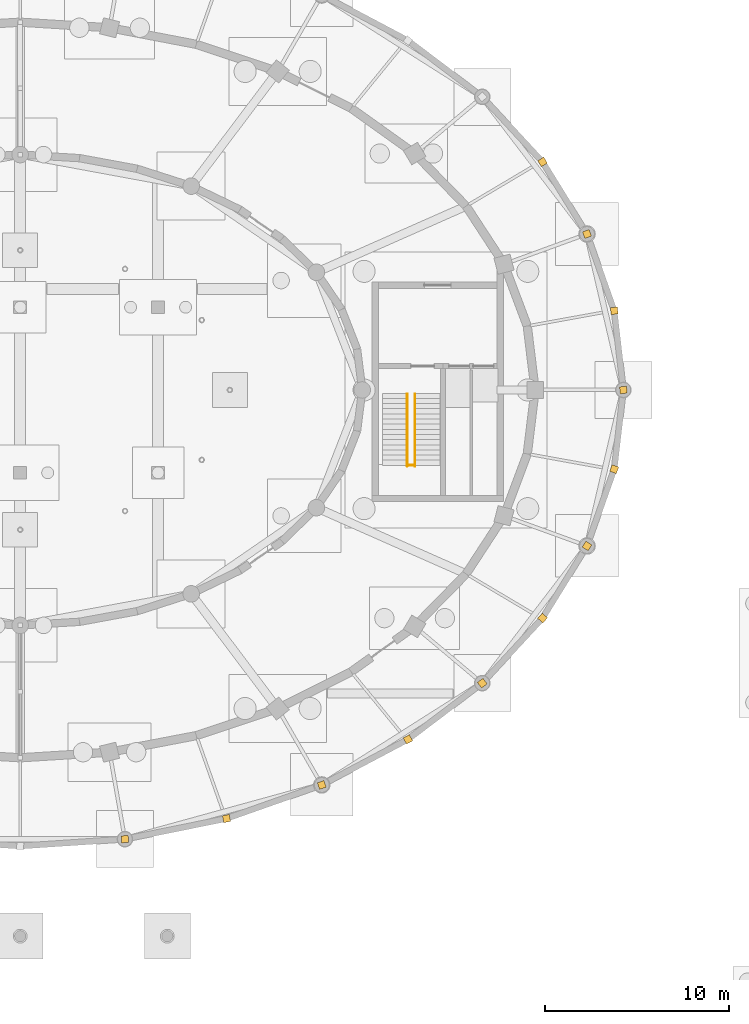
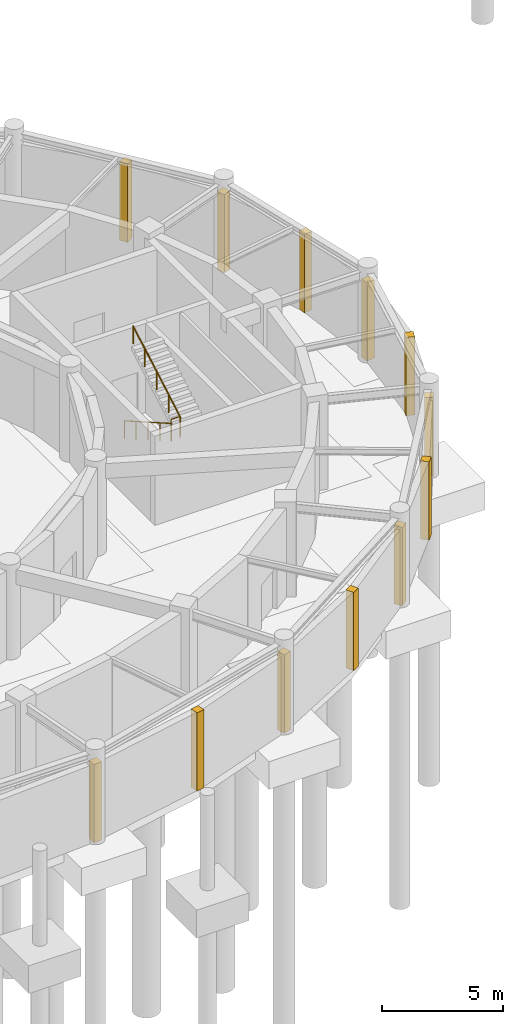
# One storey, part 36 of 42: 12 coverings, 3 railings.
"""IFC4 building model written with IfcOpenShell, lengths in metres."""

import ifcopenshell
import ifcopenshell.guid

model = None  # the IFC model being written
_history = None  # IfcOwnerHistory: only IFC2X3 demands one
_inside = {}  # id of a spatial element -> (the spatial element, [elements in it])
_under = {}  # id of a project, library or spatial element -> (it, [spatial elements below it])
_declared = {}  # id of a project -> (the project, [libraries it declares])
_typed = {}  # id of a type object -> (the type object, [elements of that type])
_made_of = {}  # id of a material, layer set ... -> (it, [elements and type objects made of it])


def new_model(schema):
    """Start an empty IFC model of exactly this schema.

    Asked for "IFC4X3", IfcOpenShell would pick the latest addendum, in which some entities
    have other attributes; the version numbers below select the first issue.
    IFC2X3 requires an IfcOwnerHistory on every rooted entity: one is made here for all.
    """
    global model, _history
    if schema == "IFC4X3":
        model = ifcopenshell.file(schema_version=(4, 3, 0, 0))
    else:
        model = ifcopenshell.file(schema=schema)
    _inside.clear()
    _under.clear()
    _declared.clear()
    _typed.clear()
    _made_of.clear()
    _history = None
    if model.schema == "IFC2X3":
        org = make("IfcOrganization", Name="unknown")
        user = make(
            "IfcPersonAndOrganization",
            ThePerson=make("IfcPerson", FamilyName="unknown"),
            TheOrganization=org,
        )
        app = make(
            "IfcApplication",
            ApplicationDeveloper=org,
            Version="unknown",
            ApplicationFullName="unknown",
            ApplicationIdentifier="unknown",
        )
        _history = make(
            "IfcOwnerHistory",
            OwningUser=user,
            OwningApplication=app,
            ChangeAction="ADDED",
            CreationDate=0,
        )
    return model


def make(cls, **values):
    """One entity of the class cls with the attributes given. An attribute that is None is left unset."""
    return model.create_entity(
        cls, **{name: value for name, value in values.items() if value is not None}
    )


def rooted(cls, **values):
    """An entity with a GlobalId (a new one), such as an element, a storey or a relation."""
    return make(cls, GlobalId=ifcopenshell.guid.new(), OwnerHistory=_history, **values)


def si_unit(unit_type, name, prefix=None):
    """IfcSIUnit, for example si_unit("LENGTHUNIT", "METRE", prefix="MILLI")."""
    return make("IfcSIUnit", UnitType=unit_type, Prefix=prefix, Name=name)


def assignment(units):
    """IfcUnitAssignment: the units of a project."""
    return None if units is None else make("IfcUnitAssignment", Units=units)


def point(xyz):
    """IfcCartesianPoint."""
    return None if xyz is None else make("IfcCartesianPoint", Coordinates=xyz)


def direction(xyz):
    """IfcDirection."""
    return None if xyz is None else make("IfcDirection", DirectionRatios=xyz)


def frame(location, z_axis=None, x_axis=None):
    """IfcAxis2Placement3D, a coordinate frame: its origin and axes. An axis left out is left unset."""
    return make(
        "IfcAxis2Placement3D",
        Location=point(location),
        Axis=direction(z_axis),
        RefDirection=direction(x_axis),
    )


def frame_2d(location, x_axis=None):
    """IfcAxis2Placement2D, a coordinate frame in the plane: its origin and x axis."""
    return make(
        "IfcAxis2Placement2D", Location=point(location), RefDirection=direction(x_axis)
    )


def origin():
    """The frame at (0, 0, 0) with its axes left unset."""
    return frame((0.0, 0.0, 0.0))


def origin_2d():
    """The frame at (0, 0) in the plane with its x axis left unset."""
    return frame_2d((0.0, 0.0))


def place(relative_to, where):
    """IfcLocalPlacement: puts the frame where relative to a parent placement (None: the world)."""
    return make(
        "IfcLocalPlacement", PlacementRelTo=relative_to, RelativePlacement=where
    )


def context(
    kind, dimensions, precision=None, world=None, true_north=None, identifier=None
):
    """IfcGeometricRepresentationContext, for example the 3D "Model" context."""
    return make(
        "IfcGeometricRepresentationContext",
        ContextIdentifier=identifier,
        ContextType=kind,
        CoordinateSpaceDimension=dimensions,
        Precision=precision,
        WorldCoordinateSystem=world,
        TrueNorth=true_north,
    )


def subcontext(parent, identifier, kind, view, scale=None):
    """IfcGeometricRepresentationSubContext, for example "Body" below "Model"."""
    return make(
        "IfcGeometricRepresentationSubContext",
        ContextIdentifier=identifier,
        ContextType=kind,
        ParentContext=parent,
        TargetScale=scale,
        TargetView=view,
    )


def project(units=None, contexts=None):
    """IfcProject with its units and contexts."""
    return rooted(
        "IfcProject",
        Name="project",
        RepresentationContexts=contexts,
        UnitsInContext=assignment(units),
    )


def spatial(cls, under=None, at=None, **own):
    """A site, building, storey or space (cls), placed at a placement, below another one or the project."""
    s = rooted(cls, ObjectPlacement=at, **own)
    if under is not None:
        _under.setdefault(under.id(), (under, []))[1].append(s)
    return s


def profile(cls, at=None, kind="AREA", **sizes):
    """A parametric profile (cls). Its sizes go by their IFC names, for example OverallWidth=200.0."""
    return make(cls, ProfileType=kind, Position=at, **sizes)


def rectangle(**sizes):
    """IfcRectangleProfileDef."""
    return profile("IfcRectangleProfileDef", **sizes)


def circle(**sizes):
    """IfcCircleProfileDef."""
    return profile("IfcCircleProfileDef", **sizes)


def extrude(swept, where, along, depth):
    """IfcExtrudedAreaSolid: the profile swept, set in the frame where, extruded along a direction by depth."""
    return make(
        "IfcExtrudedAreaSolid",
        SweptArea=swept,
        Position=where,
        ExtrudedDirection=direction(along),
        Depth=depth,
    )


def shape(context_of_items, identifier, shape_type, items):
    """IfcShapeRepresentation: the items that make up one representation, for example the "Body"."""
    return make(
        "IfcShapeRepresentation",
        ContextOfItems=context_of_items,
        RepresentationIdentifier=identifier,
        RepresentationType=shape_type,
        Items=items,
    )


def material(Name=None, Category=None):
    """IfcMaterial."""
    return make("IfcMaterial", Name=Name, Category=Category)


def layer(
    of_material, thickness, ventilated=None, Name=None, Category=None, Priority=None
):
    """IfcMaterialLayer: one layer of a wall or slab, of a material (None: an air gap)."""
    return make(
        "IfcMaterialLayer",
        Material=of_material,
        LayerThickness=thickness,
        IsVentilated=ventilated,
        Name=Name,
        Category=Category,
        Priority=Priority,
    )


def layer_set(layers, Name=None):
    """IfcMaterialLayerSet."""
    return make("IfcMaterialLayerSet", MaterialLayers=layers, LayerSetName=Name)


def made_of(thing, what):
    """Note that an element or type object is made of a material, layer set ...; save() writes the relation."""
    if what is not None:
        _made_of.setdefault(what.id(), (what, []))[1].append(thing)
    return thing


def type_object(cls, material=None, **own):
    """A type object (cls), such as IfcWallType, which elements share."""
    return made_of(rooted(cls, **own), material)


def element(
    cls,
    number,
    at=None,
    inside=None,
    cuts=None,
    type_object=None,
    material=None,
    context=None,
    identifier="Body",
    shape_type=None,
    held_by="IfcProductDefinitionShape",
    body=None,
    shapes=None,
    **own,
):
    """One element of the class cls, such as IfcWall. Its Tag is "e" and its number.

    at: its placement. inside: the storey or other place that contains it. cuts: it is an
    opening in that element (IfcRelVoidsElement). A single representation is given by context,
    identifier, shape_type and body (its items); several are given by shapes. held_by: the class
    of the entity that holds the representations. save() writes the other relations.
    """
    e = rooted(cls, Tag="e%d" % number, ObjectPlacement=at, **own)
    if body is not None:
        shapes = [shape(context, identifier, shape_type, body)]
    if shapes is not None:
        e.Representation = make(held_by, Representations=shapes)
    if inside is not None:
        _inside.setdefault(inside.id(), (inside, []))[1].append(e)
    if cuts is not None:
        rooted(
            "IfcRelVoidsElement", RelatingBuildingElement=cuts, RelatedOpeningElement=e
        )
    if type_object is not None:
        _typed.setdefault(type_object.id(), (type_object, []))[1].append(e)
    return made_of(e, material)


def aggregate(whole, parts):
    """IfcRelAggregates: a whole, such as a stair, and the parts it consists of."""
    return rooted("IfcRelAggregates", RelatingObject=whole, RelatedObjects=parts)


def save(model, path):
    """Write the relations noted so far, then the file.

    IfcRelAggregates (storeys below a building ...), IfcRelContainedInSpatialStructure (elements
    in a storey), IfcRelDefinesByType, IfcRelAssociatesMaterial and IfcRelDeclares: one each for
    every whole, place, type object, material and project.
    """
    for whole, parts in _under.values():
        aggregate(whole, parts)
    for where, things in _inside.values():
        rooted(
            "IfcRelContainedInSpatialStructure",
            RelatedElements=things,
            RelatingStructure=where,
        )
    for kind, things in _typed.values():
        rooted("IfcRelDefinesByType", RelatedObjects=things, RelatingType=kind)
    for what, things in _made_of.values():
        rooted("IfcRelAssociatesMaterial", RelatedObjects=things, RelatingMaterial=what)
    for by, libraries in _declared.values():
        rooted("IfcRelDeclares", RelatingContext=by, RelatedDefinitions=libraries)
    model.write(path)


model = new_model("IFC4")

# Units and contexts
model_context = context("Model", 3, precision=1e-05, world=origin(), true_north=direction((0.0, 1.0)))
body_context = subcontext(model_context, "Body", "Model", "MODEL_VIEW")
ifc_project = project(units=[si_unit("LENGTHUNIT", "METRE"), si_unit("AREAUNIT", "SQUARE_METRE"), si_unit("VOLUMEUNIT", "CUBIC_METRE"), si_unit("PLANEANGLEUNIT", "RADIAN"), si_unit("MASSUNIT", "GRAM", prefix="KILO")], contexts=[model_context])

# Site, building, storey
site_placement = place(None, origin())
site = spatial("IfcSite", under=ifc_project, at=site_placement, CompositionType="ELEMENT")
building_placement = place(site_placement, origin())
building = spatial("IfcBuilding", under=site, at=building_placement, Name="Tarnveldt Headland Concert Hall", CompositionType="ELEMENT")
storey_placement = place(building_placement, frame((0.0, 0.0, -4.800048828125)))
storey = spatial("IfcBuildingStorey", under=building, at=storey_placement, Name="B1", CompositionType="ELEMENT", Elevation=-4.800048828125)

# Coverings
ifc_material_1 = material(Name="Coral-toned precast concrete C40/50", Category="concrete")
ifc_layer_1 = layer(ifc_material_1, 0.360107421875, Name="Coral-toned precast concrete C40/50", Category="concrete")
ifc_layer_set_1 = layer_set([ifc_layer_1], Name="Coral-toned precast concrete C40/50")
covering_type = type_object("IfcCoveringType", Name="CV-JNT360", PredefinedType="CLADDING", material=ifc_layer_set_1)
for number, where, z_axis, x_axis, name in (
    (1, (89.19580078125, 30.076904296875, 0.0), (0.0, 0.0, 1.0), (-0.997813020072, -0.066099750182, 0.0), "Precast facade joint closure pilaster B1-57"),
    (2, (94.71826171875, 31.195556640625, 0.0), (0.0, 0.0, 1.0), (-0.980098312815, -0.198512712986, 0.0), "Precast facade joint closure pilaster B1-59"),
    (3, (99.89990234375, 33.022705078125, 0.0), (0.0, 0.0, 1.0), (-0.943106654378, -0.33249035846, 0.0), "Precast facade joint closure pilaster B1-61"),
    (4, (104.58349609375, 35.502197265625, 0.0), (0.0, 0.0, 1.0), (-0.883765630089, -0.467929814261, 0.0), "Precast facade joint closure pilaster B1-63"),
    (5, (108.626220703125, 38.558837890625, 0.0), (0.0, 0.0, 1.0), (-0.797689196331, -0.603068773902, 0.0), "Precast facade joint closure pilaster B1-65"),
    (6, (111.905517578125, 42.10009765625, 0.0), (0.0, 0.0, 1.0), (-0.679441304262, -0.733729864503, 0.0), "Precast facade joint closure pilaster B1-67"),
    (7, (111.905517578125, 66.89990234375, 0.0), (0.0, 0.0, 1.0), (0.524877544859, -0.851177750474, 0.0), "Precast facade joint closure pilaster B1-68"),
    (8, (114.322021484375, 46.017822265625, 0.0), (0.0, 0.0, 1.0), (-0.524877544859, -0.851177750474, 0.0), "Precast facade joint closure pilaster B1-69"),
    (9, (114.322021484375, 62.982177734375, 0.0), (0.0, 0.0, 1.0), (0.333971376126, -0.942583216448, 0.0), "Precast facade joint closure pilaster B1-70"),
    (10, (115.8017578125, 50.193603515625, 0.0), (0.0, 0.0, 1.0), (-0.333971376126, -0.942583216448, 0.0), "Precast facade joint closure pilaster B1-71"),
    (11, (115.8017578125, 58.806396484375, 0.0), (0.0, 0.0, 1.0), (0.114937150493, -0.9933727656, 0.0), "Precast facade joint closure pilaster B1-72"),
    (12, (116.300048828125, 54.5, 0.0), (0.0, 0.0, 1.0), (0.114937150493, -0.9933727656, 0.0), "Precast facade joint closure pilaster B1-73"),
):
    element("IfcCovering", number, at=place(storey_placement, frame(where, z_axis=z_axis, x_axis=x_axis)), inside=storey, type_object=covering_type, Name=name, PredefinedType="CLADDING", context=body_context, shape_type="SweptSolid", body=[
        extrude(rectangle(XDim=0.3798828125, YDim=0.3798828125, at=origin_2d()), origin(), (0.0, 0.0, 1.0), 3.949951171875),
    ])

# Railings
ifc_material_2 = material(Name="Marine stainless steel", Category="steel")
ifc_layer_2 = layer(ifc_material_2, 0.06005859375, Name="Marine stainless steel", Category="steel")
ifc_layer_set_2 = layer_set([ifc_layer_2], Name="Marine stainless steel")
railing_type_1 = type_object("IfcRailingType", Name="RL-GRD110", PredefinedType="GUARDRAIL", material=ifc_layer_set_2)
railing_1_placement = place(storey_placement, frame((104.550048828125, 50.39990234375, 2.400146484375)))
element("IfcRailing", 13, at=railing_1_placement, inside=storey, type_object=railing_type_1, Name="GUARD STR-C2-B1 half-landing well", PredefinedType="GUARDRAIL", context=body_context, shape_type="SweptSolid", body=[
    extrude(circle(Radius=0.02392578125, at=origin_2d()), frame((0.0, 0.0, 1.076171875), z_axis=(1.0, 0.0, 0.0), x_axis=(0.0, 1.0, 0.0)), (0.0, 0.0, 1.0), 0.419921875),
    extrude(circle(Radius=0.02099609375, at=origin_2d()), origin(), (0.0, 0.0, 1.0), 1.052001953125),
    extrude(circle(Radius=0.02099609375, at=origin_2d()), frame((0.419921875, 0.0, 0.0)), (0.0, 0.0, 1.0), 1.052001953125),
])
ifc_layer_3 = layer(ifc_material_2, 0.048095703125, Name="Marine stainless steel", Category="steel")
ifc_layer_set_3 = layer_set([ifc_layer_3], Name="Marine stainless steel")
railing_type_2 = type_object("IfcRailingType", Name="RL-HND092", PredefinedType="HANDRAIL", material=ifc_layer_set_3)
railing_2_placement = place(storey_placement, frame((104.550048828125, 54.280029296875, 0.16015625)))
element("IfcRailing", 14, at=railing_2_placement, inside=storey, type_object=railing_type_2, Name="HANDRAIL STR-C2-B1 flight 1", PredefinedType="HANDRAIL", context=body_context, shape_type="SweptSolid", body=[
    extrude(circle(Radius=0.02392578125, at=origin_2d()), frame((0.0, 0.0, 0.89599609375), z_axis=(0.0, -0.868239814368, 0.496144761885), x_axis=(1.0, 0.0, 0.0)), (0.0, 0.0, 1.0), 4.514892578125),
    extrude(circle(Radius=0.02099609375, at=origin_2d()), origin(), (0.0, 0.0, 1.0), 0.871826171875),
    extrude(circle(Radius=0.02099609375, at=origin_2d()), frame((0.0, -0.97998046875, 0.56005859375)), (0.0, 0.0, 1.0), 0.871826171875),
    extrude(circle(Radius=0.02099609375, at=origin_2d()), frame((0.0, -1.9599609375, 1.1201171875)), (0.0, 0.0, 1.0), 0.871826171875),
    extrude(circle(Radius=0.02099609375, at=origin_2d()), frame((0.0, -2.93994140625, 1.679931640625)), (0.0, 0.0, 1.0), 0.871826171875),
    extrude(circle(Radius=0.02099609375, at=origin_2d()), frame((0.0, -3.919921875, 2.239990234375)), (0.0, 0.0, 1.0), 0.871826171875),
])
railing_3_placement = place(storey_placement, frame((104.969970703125, 50.360107421875, 2.56005859375)))
element("IfcRailing", 15, at=railing_3_placement, inside=storey, type_object=railing_type_2, Name="HANDRAIL STR-C2-B1 flight 2", PredefinedType="HANDRAIL", context=body_context, shape_type="SweptSolid", body=[
    extrude(circle(Radius=0.02392578125, at=origin_2d()), frame((0.0, 0.0, 0.89599609375), z_axis=(0.0, 0.868239814368, 0.496144761885), x_axis=(-1.0, 0.0, 0.0)), (0.0, 0.0, 1.0), 4.514892578125),
    extrude(circle(Radius=0.02099609375, at=origin_2d()), origin(), (0.0, 0.0, 1.0), 0.871826171875),
    extrude(circle(Radius=0.02099609375, at=origin_2d()), frame((0.0, 0.97998046875, 0.56005859375)), (0.0, 0.0, 1.0), 0.871826171875),
    extrude(circle(Radius=0.02099609375, at=origin_2d()), frame((0.0, 1.9599609375, 1.1201171875)), (0.0, 0.0, 1.0), 0.871826171875),
    extrude(circle(Radius=0.02099609375, at=origin_2d()), frame((0.0, 2.93994140625, 1.679931640625)), (0.0, 0.0, 1.0), 0.871826171875),
    extrude(circle(Radius=0.02099609375, at=origin_2d()), frame((0.0, 3.919921875, 2.239990234375)), (0.0, 0.0, 1.0), 0.871826171875),
])

save(model, "model.ifc")
